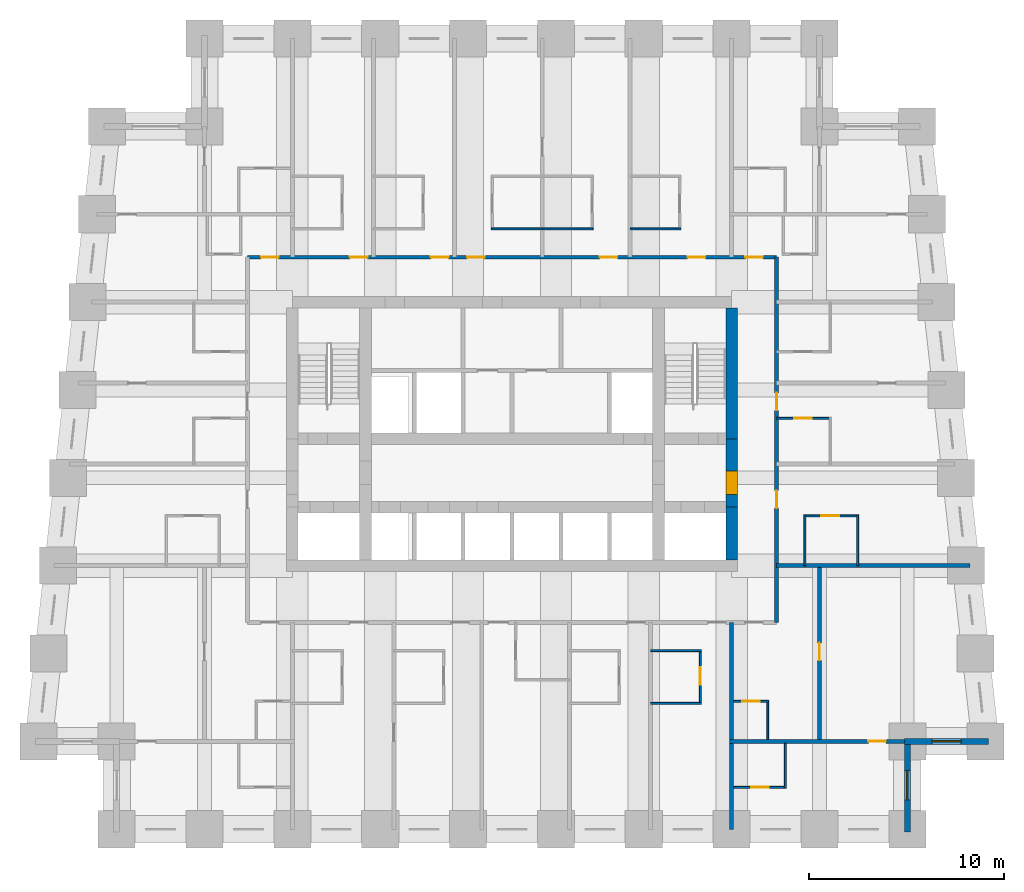
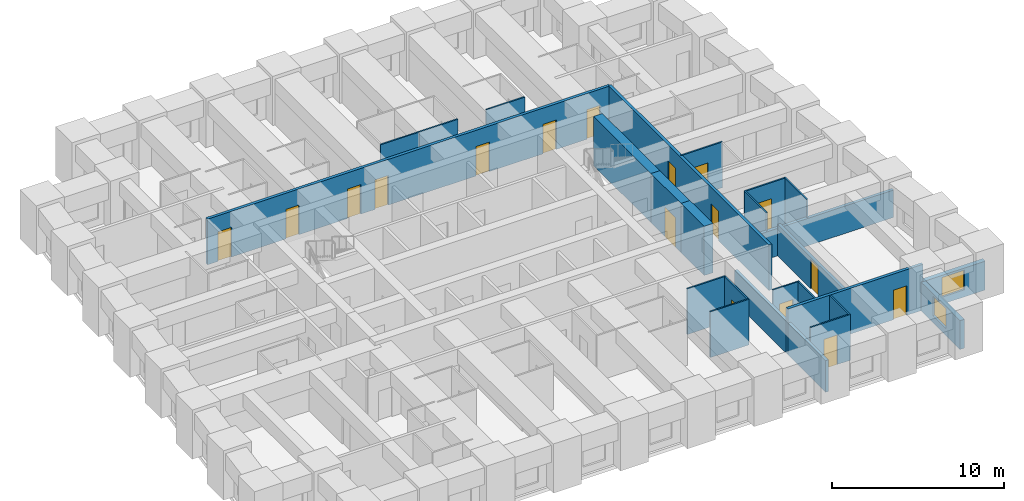
# One storey, part 5 of 8: 25 walls, 17 doors, 2 windows, 19 openings.
"""IFC4 building model written with IfcOpenShell, lengths in metres."""

from ifc_helpers import new_model, si_unit, direction, frame, frame_2d, origin, place, context, subcontext, project, spatial, rectangle, extrude, material, layer, layer_set, type_object, element, fill, save


model = new_model("IFC4")

# Units and contexts
model_context = context("Model", 3, precision=1e-05, world=origin(), true_north=direction((0.0, 1.0)))
body_context = subcontext(model_context, "Body", "Model", "MODEL_VIEW")
ifc_project = project(units=[si_unit("LENGTHUNIT", "METRE"), si_unit("AREAUNIT", "SQUARE_METRE"), si_unit("VOLUMEUNIT", "CUBIC_METRE"), si_unit("PLANEANGLEUNIT", "RADIAN"), si_unit("MASSUNIT", "GRAM", prefix="KILO")], contexts=[model_context])

# Site, building, storey
site_placement = place(None, origin())
site = spatial("IfcSite", under=ifc_project, at=site_placement, CompositionType="ELEMENT")
building_placement = place(site_placement, origin())
building = spatial("IfcBuilding", under=site, at=building_placement, Name="Kilele Tower Hotel", CompositionType="ELEMENT")
storey_placement = place(building_placement, frame((0.0, 0.0, 43.699951171875)))
storey = spatial("IfcBuildingStorey", under=building, at=storey_placement, Name="L09", CompositionType="ELEMENT", Elevation=43.699951171875)

# Walls
ifc_material_1 = material(Name="Moisture-resistant board")
ifc_layer_1 = layer(ifc_material_1, 0.10009765625)
ifc_layer_set_1 = layer_set([ifc_layer_1], Name="Moisture-resistant board")
wall_type_1 = type_object("IfcWallType", Name="Bathroom partition 100", PredefinedType="PLUMBINGWALL", material=ifc_layer_set_1)
for number, where, z_axis, x_axis, name in (
    (1, (31.85009765625, 9.14990234375, 0.0), (0.0, 0.0, 1.0), (1.0, 0.0, 0.0), "Bathroom partition 100 L09"),
    (2, (31.85009765625, 6.449951171875, 0.0), (0.0, 0.0, 1.0), (1.0, 0.0, 0.0), "Bathroom partition 100 L09"),
):
    element("IfcWall", number, at=place(storey_placement, frame(where, z_axis=z_axis, x_axis=x_axis)), inside=storey, type_object=wall_type_1, Name=name, PredefinedType="PLUMBINGWALL", context=body_context, shape_type="SweptSolid", body=[
        extrude(rectangle(XDim=2.599853515625, YDim=0.10009765625, at=frame_2d((1.2998046875, 0.0))), origin(), (0.0, 0.0, 1.0), 3.25),
    ])

# Wall, opening, door
wall_1_placement = place(storey_placement, frame((34.39990234375, 9.199951171875, 0.0), z_axis=(0.0, 0.0, 1.0), x_axis=(0.0, -1.0, 0.0)))
wall_1 = element("IfcWall", 3, at=wall_1_placement, inside=storey, type_object=wall_type_1, Name="Bathroom partition 100 L09", PredefinedType="PLUMBINGWALL", context=body_context, shape_type="SweptSolid", body=[
    extrude(rectangle(XDim=2.800048828125, YDim=0.10009765625, at=frame_2d((1.39990234375, 0.0))), origin(), (0.0, 0.0, 1.0), 3.25),
])
opening_1_placement = place(wall_1_placement, frame((0.89990234375, 0.0, 0.0)))
opening_1 = element("IfcOpeningElement", 4, at=opening_1_placement, cuts=wall_1, Name="Opening D2A", PredefinedType="OPENING", context=body_context, shape_type="SweptSolid", body=[
    extrude(rectangle(XDim=0.89990234375, YDim=2.10009765625, at=frame_2d((0.449951171875, 1.050048828125))), frame((0.0, 0.06005859375, 0.0), z_axis=(0.0, -1.0, 0.0), x_axis=(1.0, 0.0, 0.0)), (0.0, 0.0, 1.0), 0.1201171875),
])
ifc_material_2 = material(Name="Timber door leaf in hardwood frame", Category="wood")
door_type_1 = type_object("IfcDoorType", Name="Bathroom door 900", OperationType="SINGLE_SWING_LEFT", PredefinedType="DOOR", material=ifc_material_2)
door_1_placement = place(opening_1_placement, origin())
door_1 = element("IfcDoor", 5, at=door_1_placement, inside=storey, type_object=door_type_1, Name="Bathroom door 0905B", OperationType="SINGLE_SWING_LEFT", OverallHeight=2.10009765625, OverallWidth=0.89990234375, PredefinedType="DOOR", context=body_context, shape_type="SweptSolid", body=[
    extrude(rectangle(XDim=0.89990234375, YDim=2.10009765625, at=frame_2d((0.449951171875, 1.050048828125))), frame((0.0, 0.02490234375, 0.0), z_axis=(0.0, -1.0, 0.0), x_axis=(1.0, 0.0, 0.0)), (0.0, 0.0, 1.0), 0.050048828125),
])
fill(opening_1, door_1)

# Walls
for number, where, z_axis, x_axis, name in (
    (6, (39.75, 13.5, 0.0), (0.0, 0.0, 1.0), (0.0, 1.0, 0.0), "Bathroom partition 100 L09"),
    (7, (42.449951171875, 13.5, 0.0), (0.0, 0.0, 1.0), (0.0, 1.0, 0.0), "Bathroom partition 100 L09"),
):
    element("IfcWall", number, at=place(storey_placement, frame(where, z_axis=z_axis, x_axis=x_axis)), inside=storey, type_object=wall_type_1, Name=name, PredefinedType="PLUMBINGWALL", context=body_context, shape_type="SweptSolid", body=[
        extrude(rectangle(XDim=2.60009765625, YDim=0.10009765625, at=frame_2d((1.300048828125, 0.0))), origin(), (0.0, 0.0, 1.0), 3.25),
    ])

# Wall, opening, door
wall_2_placement = place(storey_placement, frame((39.699951171875, 16.050048828125, 0.0), z_axis=(0.0, 0.0, 1.0), x_axis=(1.0, 0.0, 0.0)))
wall_2 = element("IfcWall", 8, at=wall_2_placement, inside=storey, type_object=wall_type_1, Name="Bathroom partition 100 L09", PredefinedType="PLUMBINGWALL", context=body_context, shape_type="SweptSolid", body=[
    extrude(rectangle(XDim=2.800048828125, YDim=0.10009765625, at=frame_2d((1.39990234375, 0.0))), origin(), (0.0, 0.0, 1.0), 3.25),
])
opening_2_placement = place(wall_2_placement, frame((0.89990234375, 0.0, 0.0)))
opening_2 = element("IfcOpeningElement", 9, at=opening_2_placement, cuts=wall_2, Name="Opening D2A", PredefinedType="OPENING", context=body_context, shape_type="SweptSolid", body=[
    extrude(rectangle(XDim=0.89990234375, YDim=2.10009765625, at=frame_2d((0.449951171875, 1.050048828125))), frame((0.0, 0.06005859375, 0.0), z_axis=(0.0, -1.0, 0.0), x_axis=(1.0, 0.0, 0.0)), (0.0, 0.0, 1.0), 0.1201171875),
])
door_2_placement = place(opening_2_placement, origin())
door_2 = element("IfcDoor", 10, at=door_2_placement, inside=storey, type_object=door_type_1, Name="Bathroom door 0906B", OperationType="SINGLE_SWING_LEFT", OverallHeight=2.10009765625, OverallWidth=0.89990234375, PredefinedType="DOOR", context=body_context, shape_type="SweptSolid", body=[
    extrude(rectangle(XDim=0.89990234375, YDim=2.10009765625, at=frame_2d((0.449951171875, 1.050048828125))), frame((0.0, 0.02490234375, 0.0), z_axis=(0.0, -1.0, 0.0), x_axis=(1.0, 0.0, 0.0)), (0.0, 0.0, 1.0), 0.050048828125),
])
fill(opening_2, door_2)

wall_3_placement = place(storey_placement, frame((38.300048828125, 21.050048828125, 0.0), z_axis=(0.0, 0.0, 1.0), x_axis=(1.0, 0.0, 0.0)))
wall_3 = element("IfcWall", 11, at=wall_3_placement, inside=storey, type_object=wall_type_1, Name="Bathroom partition 100 L09", PredefinedType="PLUMBINGWALL", context=body_context, shape_type="SweptSolid", body=[
    extrude(rectangle(XDim=2.800048828125, YDim=0.10009765625, at=frame_2d((1.39990234375, 0.0))), origin(), (0.0, 0.0, 1.0), 3.25),
])
opening_3_placement = place(wall_3_placement, frame((0.89990234375, 0.0, 0.0)))
opening_3 = element("IfcOpeningElement", 12, at=opening_3_placement, cuts=wall_3, Name="Opening D2A", PredefinedType="OPENING", context=body_context, shape_type="SweptSolid", body=[
    extrude(rectangle(XDim=0.89990234375, YDim=2.10009765625, at=frame_2d((0.449951171875, 1.050048828125))), frame((0.0, 0.06005859375, 0.0), z_axis=(0.0, -1.0, 0.0), x_axis=(1.0, 0.0, 0.0)), (0.0, 0.0, 1.0), 0.1201171875),
])
door_3_placement = place(opening_3_placement, origin())
door_3 = element("IfcDoor", 13, at=door_3_placement, inside=storey, type_object=door_type_1, Name="Bathroom door 0907B", OperationType="SINGLE_SWING_LEFT", OverallHeight=2.10009765625, OverallWidth=0.89990234375, PredefinedType="DOOR", context=body_context, shape_type="SweptSolid", body=[
    extrude(rectangle(XDim=0.89990234375, YDim=2.10009765625, at=frame_2d((0.449951171875, 1.050048828125))), frame((0.0, 0.02490234375, 0.0), z_axis=(0.0, -1.0, 0.0), x_axis=(1.0, 0.0, 0.0)), (0.0, 0.0, 1.0), 0.050048828125),
])
fill(opening_3, door_3)

# Walls
wall_4_placement = place(storey_placement, frame((23.699951171875, 30.75, 0.0), z_axis=(0.0, 0.0, 1.0), x_axis=(1.0, 0.0, 0.0)))
element("IfcWall", 14, at=wall_4_placement, inside=storey, type_object=wall_type_1, Name="Bathroom partition 100 L09", PredefinedType="PLUMBINGWALL", context=body_context, shape_type="SweptSolid", body=[
    extrude(rectangle(XDim=2.60009765625, YDim=0.10009765625, at=frame_2d((1.300048828125, 0.0))), origin(), (0.0, 0.0, 1.0), 3.25),
])
for number, where, z_axis, x_axis, name in (
    (15, (26.300048828125, 30.75, 0.0), (0.0, 0.0, 1.0), (1.0, 0.0, 0.0), "Bathroom partition 100 L09"),
    (16, (30.800048828125, 30.75, 0.0), (0.0, 0.0, 1.0), (1.0, 0.0, 0.0), "Bathroom partition 100 L09"),
):
    element("IfcWall", number, at=place(storey_placement, frame(where, z_axis=z_axis, x_axis=x_axis)), inside=storey, type_object=wall_type_1, Name=name, PredefinedType="PLUMBINGWALL", context=body_context, shape_type="SweptSolid", body=[
        extrude(rectangle(XDim=2.599853515625, YDim=0.10009765625, at=frame_2d((1.2998046875, 0.0))), origin(), (0.0, 0.0, 1.0), 3.25),
    ])
wall_5_placement = place(storey_placement, frame((37.85009765625, 4.60009765625, 0.0), z_axis=(0.0, 0.0, 1.0), x_axis=(0.0, 1.0, 0.0)))
element("IfcWall", 17, at=wall_5_placement, inside=storey, type_object=wall_type_1, Name="Bathroom partition 100 L09", PredefinedType="PLUMBINGWALL", context=body_context, shape_type="SweptSolid", body=[
    extrude(rectangle(XDim=2.0, YDim=0.10009765625, at=frame_2d((1.0, 0.0))), origin(), (0.0, 0.0, 1.0), 3.25),
])

# Wall, opening, door
wall_6_placement = place(storey_placement, frame((36.10009765625, 6.550048828125, 0.0), z_axis=(0.0, 0.0, 1.0), x_axis=(1.0, 0.0, 0.0)))
wall_6 = element("IfcWall", 18, at=wall_6_placement, inside=storey, type_object=wall_type_1, Name="Bathroom partition 100 L09", PredefinedType="PLUMBINGWALL", context=body_context, shape_type="SweptSolid", body=[
    extrude(rectangle(XDim=1.7998046875, YDim=0.10009765625, at=frame_2d((0.89990234375, 0.0))), origin(), (0.0, 0.0, 1.0), 3.25),
])
opening_4_placement = place(wall_6_placement, frame((0.449951171875, 0.0, 0.0)))
opening_4 = element("IfcOpeningElement", 19, at=opening_4_placement, cuts=wall_6, Name="Opening D2A", PredefinedType="OPENING", context=body_context, shape_type="SweptSolid", body=[
    extrude(rectangle(XDim=0.89990234375, YDim=2.10009765625, at=frame_2d((0.449951171875, 1.050048828125))), frame((0.0, 0.06005859375, 0.0), z_axis=(0.0, -1.0, 0.0), x_axis=(1.0, 0.0, 0.0)), (0.0, 0.0, 1.0), 0.1201171875),
])
door_4_placement = place(opening_4_placement, origin())
door_4 = element("IfcDoor", 20, at=door_4_placement, inside=storey, type_object=door_type_1, Name="Bathroom door 0920P", OperationType="SINGLE_SWING_LEFT", OverallHeight=2.10009765625, OverallWidth=0.89990234375, PredefinedType="DOOR", context=body_context, shape_type="SweptSolid", body=[
    extrude(rectangle(XDim=0.89990234375, YDim=2.10009765625, at=frame_2d((0.449951171875, 1.050048828125))), frame((0.0, 0.02490234375, 0.0), z_axis=(0.0, -1.0, 0.0), x_axis=(1.0, 0.0, 0.0)), (0.0, 0.0, 1.0), 0.050048828125),
])
fill(opening_4, door_4)

# Wall
wall_7_placement = place(storey_placement, frame((38.75, 4.39990234375, 0.0), z_axis=(0.0, 0.0, 1.0), x_axis=(0.0, -1.0, 0.0)))
element("IfcWall", 21, at=wall_7_placement, inside=storey, type_object=wall_type_1, Name="Bathroom partition 100 L09", PredefinedType="PLUMBINGWALL", context=body_context, shape_type="SweptSolid", body=[
    extrude(rectangle(XDim=2.2998046875, YDim=0.10009765625, at=frame_2d((1.14990234375, 0.0))), origin(), (0.0, 0.0, 1.0), 3.25),
])

# Wall, opening, door
wall_8_placement = place(storey_placement, frame((36.10009765625, 2.14990234375, 0.0), z_axis=(0.0, 0.0, 1.0), x_axis=(1.0, 0.0, 0.0)))
wall_8 = element("IfcWall", 22, at=wall_8_placement, inside=storey, type_object=wall_type_1, Name="Bathroom partition 100 L09", PredefinedType="PLUMBINGWALL", context=body_context, shape_type="SweptSolid", body=[
    extrude(rectangle(XDim=2.699951171875, YDim=0.10009765625, at=frame_2d((1.35009765625, 0.0))), origin(), (0.0, 0.0, 1.0), 3.25),
])
opening_5_placement = place(wall_8_placement, frame((1.7998046875, 0.0, 0.0), z_axis=(0.0, 0.0, 1.0), x_axis=(-1.0, 0.0, 0.0)))
opening_5 = element("IfcOpeningElement", 23, at=opening_5_placement, cuts=wall_8, Name="Opening D2A", PredefinedType="OPENING", context=body_context, shape_type="SweptSolid", body=[
    extrude(rectangle(XDim=0.89990234375, YDim=2.10009765625, at=frame_2d((0.449951171875, 1.050048828125))), frame((0.0, 0.06005859375, 0.0), z_axis=(0.0, -1.0, 0.0), x_axis=(1.0, 0.0, 0.0)), (0.0, 0.0, 1.0), 0.1201171875),
])
door_5_placement = place(opening_5_placement, origin())
door_5 = element("IfcDoor", 24, at=door_5_placement, inside=storey, type_object=door_type_1, Name="Bathroom door 0922B", OperationType="SINGLE_SWING_RIGHT", OverallHeight=2.10009765625, OverallWidth=0.89990234375, PredefinedType="DOOR", context=body_context, shape_type="SweptSolid", body=[
    extrude(rectangle(XDim=0.89990234375, YDim=2.10009765625, at=frame_2d((0.449951171875, 1.050048828125))), frame((0.0, 0.02490234375, 0.0), z_axis=(0.0, -1.0, 0.0), x_axis=(1.0, 0.0, 0.0)), (0.0, 0.0, 1.0), 0.050048828125),
])
fill(opening_5, door_5)

# Wall
ifc_material_3 = material(Name="Concrete C60/75", Category="concrete")
ifc_layer_2 = layer(ifc_material_3, 0.60009765625)
ifc_layer_set_2 = layer_set([ifc_layer_2], Name="Concrete C60/75")
wall_type_2 = type_object("IfcWallType", Name="Core wall 600 C60/75", PredefinedType="SHEAR", material=ifc_layer_set_2)
wall_9_placement = place(storey_placement, frame((36.0, 13.800048828125, 0.0), z_axis=(0.0, 0.0, 1.0), x_axis=(0.0, 1.0, 0.0)))
element("IfcWall", 25, at=wall_9_placement, inside=storey, type_object=wall_type_2, Name="Core wall E1 L09", PredefinedType="SHEAR", context=body_context, shape_type="SweptSolid", body=[
    extrude(rectangle(XDim=2.699951171875, YDim=0.60009765625, at=frame_2d((1.35009765625, 0.0))), origin(), (0.0, 0.0, 1.0), 3.5),
])

# Wall, opening, door
wall_10_placement = place(storey_placement, frame((36.0, 16.5, 0.0), z_axis=(0.0, 0.0, 1.0), x_axis=(0.0, 1.0, 0.0)))
wall_10 = element("IfcWall", 26, at=wall_10_placement, inside=storey, type_object=wall_type_2, Name="Core wall E2 L09", PredefinedType="SHEAR", context=body_context, shape_type="SweptSolid", body=[
    extrude(rectangle(XDim=3.5, YDim=0.60009765625, at=frame_2d((1.75, 0.0))), origin(), (0.0, 0.0, 1.0), 3.5),
])
opening_6_placement = place(wall_10_placement, frame((0.64990234375, 0.0, 0.0)))
opening_6 = element("IfcOpeningElement", 27, at=opening_6_placement, cuts=wall_10, Name="Opening D4", PredefinedType="OPENING", context=body_context, shape_type="SweptSolid", body=[
    extrude(rectangle(XDim=1.199951171875, YDim=2.10009765625, at=frame_2d((0.60009765625, 1.050048828125))), frame((0.0, 0.31005859375, 0.0), z_axis=(0.0, -1.0, 0.0), x_axis=(1.0, 0.0, 0.0)), (0.0, 0.0, 1.0), 0.6201171875),
])
ifc_material_4 = material(Name="Timber door leaf in hardwood frame", Category="wood")
door_type_2 = type_object("IfcDoorType", Name="Firefighting lobby door 1200", OperationType="SINGLE_SWING_LEFT", PredefinedType="DOOR", material=ifc_material_4)
door_6_placement = place(opening_6_placement, origin())
door_6 = element("IfcDoor", 28, at=door_6_placement, inside=storey, type_object=door_type_2, Name="Lobby door L09", OperationType="SINGLE_SWING_LEFT", OverallHeight=2.10009765625, OverallWidth=1.199951171875, PredefinedType="DOOR", context=body_context, shape_type="SweptSolid", body=[
    extrude(rectangle(XDim=1.199951171875, YDim=2.10009765625, at=frame_2d((0.60009765625, 1.050048828125))), frame((0.0, 0.2998046875, 0.0), z_axis=(0.0, -1.0, 0.0), x_axis=(1.0, 0.0, 0.0)), (0.0, 0.0, 1.0), 0.599609375),
])
fill(opening_6, door_6)

# Wall
wall_11_placement = place(storey_placement, frame((36.0, 20.0, 0.0), z_axis=(0.0, 0.0, 1.0), x_axis=(0.0, 1.0, 0.0)))
element("IfcWall", 29, at=wall_11_placement, inside=storey, type_object=wall_type_2, Name="Core wall E3 L09", PredefinedType="SHEAR", context=body_context, shape_type="SweptSolid", body=[
    extrude(rectangle(XDim=6.699951171875, YDim=0.60009765625, at=frame_2d((3.35009765625, 0.0))), origin(), (0.0, 0.0, 1.0), 3.5),
])

# Wall, openings, doors
ifc_material_5 = material(Name="Blockwork, plastered both sides", Category="masonry")
ifc_layer_3 = layer(ifc_material_5, 0.199951171875)
ifc_layer_set_3 = layer_set([ifc_layer_3], Name="Blockwork, plastered both sides")
wall_type_3 = type_object("IfcWallType", Name="Corridor wall 200", PredefinedType="PARTITIONING", material=ifc_layer_set_3)
wall_12_placement = place(storey_placement, frame((11.199951171875, 29.300048828125, 0.0), z_axis=(0.0, 0.0, 1.0), x_axis=(1.0, 0.0, 0.0)))
wall_12 = element("IfcWall", 30, at=wall_12_placement, inside=storey, type_object=wall_type_3, Name="Corridor wall 200 L09", PredefinedType="PARTITIONING", context=body_context, shape_type="SweptSolid", body=[
    extrude(rectangle(XDim=27.10009765625, YDim=0.199951171875, at=frame_2d((13.550048828125, 0.0))), origin(), (0.0, 0.0, 1.0), 3.25),
])
opening_7_placement = place(wall_12_placement, frame((5.25, 0.0, 0.0)))
opening_7 = element("IfcOpeningElement", 31, at=opening_7_placement, cuts=wall_12, Name="Opening D1", PredefinedType="OPENING", context=body_context, shape_type="SweptSolid", body=[
    extrude(rectangle(XDim=0.89990234375, YDim=2.10009765625, at=frame_2d((0.449951171875, 1.050048828125))), frame((0.0, 0.10986328125, 0.0), z_axis=(0.0, -1.0, 0.0), x_axis=(1.0, 0.0, 0.0)), (0.0, 0.0, 1.0), 0.219970703125),
])
opening_8_placement = place(wall_12_placement, frame((9.39990234375, 0.0, 0.0)))
opening_8 = element("IfcOpeningElement", 32, at=opening_8_placement, cuts=wall_12, Name="Opening D1", PredefinedType="OPENING", context=body_context, shape_type="SweptSolid", body=[
    extrude(rectangle(XDim=0.89990234375, YDim=2.10009765625, at=frame_2d((0.449951171875, 1.050048828125))), frame((0.0, 0.10986328125, 0.0), z_axis=(0.0, -1.0, 0.0), x_axis=(1.0, 0.0, 0.0)), (0.0, 0.0, 1.0), 0.219970703125),
])
opening_9_placement = place(wall_12_placement, frame((11.25, 0.0, 0.0)))
opening_9 = element("IfcOpeningElement", 33, at=opening_9_placement, cuts=wall_12, Name="Opening D1", PredefinedType="OPENING", context=body_context, shape_type="SweptSolid", body=[
    extrude(rectangle(XDim=0.89990234375, YDim=2.10009765625, at=frame_2d((0.449951171875, 1.050048828125))), frame((0.0, 0.10986328125, 0.0), z_axis=(0.0, -1.0, 0.0), x_axis=(1.0, 0.0, 0.0)), (0.0, 0.0, 1.0), 0.219970703125),
])
opening_10_placement = place(wall_12_placement, frame((18.050048828125, 0.0, 0.0)))
opening_10 = element("IfcOpeningElement", 34, at=opening_10_placement, cuts=wall_12, Name="Opening D1", PredefinedType="OPENING", context=body_context, shape_type="SweptSolid", body=[
    extrude(rectangle(XDim=0.89990234375, YDim=2.10009765625, at=frame_2d((0.449951171875, 1.050048828125))), frame((0.0, 0.10986328125, 0.0), z_axis=(0.0, -1.0, 0.0), x_axis=(1.0, 0.0, 0.0)), (0.0, 0.0, 1.0), 0.219970703125),
])
opening_11_placement = place(wall_12_placement, frame((22.550048828125, 0.0, 0.0)))
opening_11 = element("IfcOpeningElement", 35, at=opening_11_placement, cuts=wall_12, Name="Opening D1", PredefinedType="OPENING", context=body_context, shape_type="SweptSolid", body=[
    extrude(rectangle(XDim=0.89990234375, YDim=2.10009765625, at=frame_2d((0.449951171875, 1.050048828125))), frame((0.0, 0.10986328125, 0.0), z_axis=(0.0, -1.0, 0.0), x_axis=(1.0, 0.0, 0.0)), (0.0, 0.0, 1.0), 0.219970703125),
])
opening_12_placement = place(wall_12_placement, frame((25.5, 0.0, 0.0)))
opening_12 = element("IfcOpeningElement", 36, at=opening_12_placement, cuts=wall_12, Name="Opening D1", PredefinedType="OPENING", context=body_context, shape_type="SweptSolid", body=[
    extrude(rectangle(XDim=0.89990234375, YDim=2.10009765625, at=frame_2d((0.449951171875, 1.050048828125))), frame((0.0, 0.10986328125, 0.0), z_axis=(0.0, -1.0, 0.0), x_axis=(1.0, 0.0, 0.0)), (0.0, 0.0, 1.0), 0.219970703125),
])
opening_13_placement = place(wall_12_placement, frame((0.699951171875, 0.0, 0.0)))
opening_13 = element("IfcOpeningElement", 37, at=opening_13_placement, cuts=wall_12, Name="Opening D1", PredefinedType="OPENING", context=body_context, shape_type="SweptSolid", body=[
    extrude(rectangle(XDim=0.89990234375, YDim=2.10009765625, at=frame_2d((0.449951171875, 1.050048828125))), frame((0.0, 0.10986328125, 0.0), z_axis=(0.0, -1.0, 0.0), x_axis=(1.0, 0.0, 0.0)), (0.0, 0.0, 1.0), 0.219970703125),
])
ifc_material_6 = material(Name="Timber door leaf in hardwood frame", Category="wood")
door_type_3 = type_object("IfcDoorType", Name="Guest room entrance door 900", OperationType="SINGLE_SWING_LEFT", PredefinedType="DOOR", material=ifc_material_6)
door_7_placement = place(opening_7_placement, origin())
door_7 = element("IfcDoor", 38, at=door_7_placement, inside=storey, type_object=door_type_3, Name="Room entrance 0909", OperationType="SINGLE_SWING_RIGHT", OverallHeight=2.10009765625, OverallWidth=0.89990234375, PredefinedType="DOOR", context=body_context, shape_type="SweptSolid", body=[
    extrude(rectangle(XDim=0.89990234375, YDim=2.10009765625, at=frame_2d((0.449951171875, 1.050048828125))), frame((0.0, 0.02490234375, 0.0), z_axis=(0.0, -1.0, 0.0), x_axis=(1.0, 0.0, 0.0)), (0.0, 0.0, 1.0), 0.050048828125),
])
fill(opening_7, door_7)
door_8_placement = place(opening_8_placement, origin())
door_8 = element("IfcDoor", 39, at=door_8_placement, inside=storey, type_object=door_type_3, Name="Room entrance 0910", OperationType="SINGLE_SWING_RIGHT", OverallHeight=2.10009765625, OverallWidth=0.89990234375, PredefinedType="DOOR", context=body_context, shape_type="SweptSolid", body=[
    extrude(rectangle(XDim=0.89990234375, YDim=2.10009765625, at=frame_2d((0.449951171875, 1.050048828125))), frame((0.0, 0.02490234375, 0.0), z_axis=(0.0, -1.0, 0.0), x_axis=(1.0, 0.0, 0.0)), (0.0, 0.0, 1.0), 0.050048828125),
])
fill(opening_8, door_8)
door_9_placement = place(opening_9_placement, origin())
door_9 = element("IfcDoor", 40, at=door_9_placement, inside=storey, type_object=door_type_3, Name="Room entrance 0911", OperationType="SINGLE_SWING_LEFT", OverallHeight=2.10009765625, OverallWidth=0.89990234375, PredefinedType="DOOR", context=body_context, shape_type="SweptSolid", body=[
    extrude(rectangle(XDim=0.89990234375, YDim=2.10009765625, at=frame_2d((0.449951171875, 1.050048828125))), frame((0.0, 0.02490234375, 0.0), z_axis=(0.0, -1.0, 0.0), x_axis=(1.0, 0.0, 0.0)), (0.0, 0.0, 1.0), 0.050048828125),
])
fill(opening_9, door_9)
door_10_placement = place(opening_10_placement, origin())
door_10 = element("IfcDoor", 41, at=door_10_placement, inside=storey, type_object=door_type_3, Name="Room entrance 0912", OperationType="SINGLE_SWING_RIGHT", OverallHeight=2.10009765625, OverallWidth=0.89990234375, PredefinedType="DOOR", context=body_context, shape_type="SweptSolid", body=[
    extrude(rectangle(XDim=0.89990234375, YDim=2.10009765625, at=frame_2d((0.449951171875, 1.050048828125))), frame((0.0, 0.02490234375, 0.0), z_axis=(0.0, -1.0, 0.0), x_axis=(1.0, 0.0, 0.0)), (0.0, 0.0, 1.0), 0.050048828125),
])
fill(opening_10, door_10)
door_11_placement = place(opening_11_placement, origin())
door_11 = element("IfcDoor", 42, at=door_11_placement, inside=storey, type_object=door_type_3, Name="Room entrance 0913", OperationType="SINGLE_SWING_RIGHT", OverallHeight=2.10009765625, OverallWidth=0.89990234375, PredefinedType="DOOR", context=body_context, shape_type="SweptSolid", body=[
    extrude(rectangle(XDim=0.89990234375, YDim=2.10009765625, at=frame_2d((0.449951171875, 1.050048828125))), frame((0.0, 0.02490234375, 0.0), z_axis=(0.0, -1.0, 0.0), x_axis=(1.0, 0.0, 0.0)), (0.0, 0.0, 1.0), 0.050048828125),
])
fill(opening_11, door_11)
door_12_placement = place(opening_12_placement, origin())
door_12 = element("IfcDoor", 43, at=door_12_placement, inside=storey, type_object=door_type_3, Name="Room entrance 0923", OperationType="SINGLE_SWING_LEFT", OverallHeight=2.10009765625, OverallWidth=0.89990234375, PredefinedType="DOOR", context=body_context, shape_type="SweptSolid", body=[
    extrude(rectangle(XDim=0.89990234375, YDim=2.10009765625, at=frame_2d((0.449951171875, 1.050048828125))), frame((0.0, 0.02490234375, 0.0), z_axis=(0.0, -1.0, 0.0), x_axis=(1.0, 0.0, 0.0)), (0.0, 0.0, 1.0), 0.050048828125),
])
fill(opening_12, door_12)
door_13_placement = place(opening_13_placement, origin())
door_13 = element("IfcDoor", 44, at=door_13_placement, inside=storey, type_object=door_type_3, Name="Room entrance 0926", OperationType="SINGLE_SWING_RIGHT", OverallHeight=2.10009765625, OverallWidth=0.89990234375, PredefinedType="DOOR", context=body_context, shape_type="SweptSolid", body=[
    extrude(rectangle(XDim=0.89990234375, YDim=2.10009765625, at=frame_2d((0.449951171875, 1.050048828125))), frame((0.0, 0.02490234375, 0.0), z_axis=(0.0, -1.0, 0.0), x_axis=(1.0, 0.0, 0.0)), (0.0, 0.0, 1.0), 0.050048828125),
])
fill(opening_13, door_13)

wall_13_placement = place(storey_placement, frame((38.300048828125, 10.60009765625, 0.0), z_axis=(0.0, 0.0, 1.0), x_axis=(0.0, 1.0, 0.0)))
wall_13 = element("IfcWall", 45, at=wall_13_placement, inside=storey, type_object=wall_type_3, Name="Corridor wall 200 L09", PredefinedType="PARTITIONING", context=body_context, shape_type="SweptSolid", body=[
    extrude(rectangle(XDim=18.699951171875, YDim=0.199951171875, at=frame_2d((9.35009765625, 0.0))), origin(), (0.0, 0.0, 1.0), 3.25),
])
opening_14_placement = place(wall_13_placement, frame((6.75, 0.0, 0.0), z_axis=(0.0, 0.0, 1.0), x_axis=(-1.0, 0.0, 0.0)))
opening_14 = element("IfcOpeningElement", 46, at=opening_14_placement, cuts=wall_13, Name="Opening D1", PredefinedType="OPENING", context=body_context, shape_type="SweptSolid", body=[
    extrude(rectangle(XDim=0.89990234375, YDim=2.10009765625, at=frame_2d((0.449951171875, 1.050048828125))), frame((0.0, 0.10986328125, 0.0), z_axis=(0.0, -1.0, 0.0), x_axis=(1.0, 0.0, 0.0)), (0.0, 0.0, 1.0), 0.219970703125),
])
opening_15_placement = place(wall_13_placement, frame((11.75, 0.0, 0.0), z_axis=(0.0, 0.0, 1.0), x_axis=(-1.0, 0.0, 0.0)))
opening_15 = element("IfcOpeningElement", 47, at=opening_15_placement, cuts=wall_13, Name="Opening D1", PredefinedType="OPENING", context=body_context, shape_type="SweptSolid", body=[
    extrude(rectangle(XDim=0.89990234375, YDim=2.10009765625, at=frame_2d((0.449951171875, 1.050048828125))), frame((0.0, 0.10986328125, 0.0), z_axis=(0.0, -1.0, 0.0), x_axis=(1.0, 0.0, 0.0)), (0.0, 0.0, 1.0), 0.219970703125),
])
door_14_placement = place(opening_14_placement, origin())
door_14 = element("IfcDoor", 48, at=door_14_placement, inside=storey, type_object=door_type_3, Name="Room entrance 0906", OperationType="SINGLE_SWING_LEFT", OverallHeight=2.10009765625, OverallWidth=0.89990234375, PredefinedType="DOOR", context=body_context, shape_type="SweptSolid", body=[
    extrude(rectangle(XDim=0.89990234375, YDim=2.10009765625, at=frame_2d((0.449951171875, 1.050048828125))), frame((0.0, 0.02490234375, 0.0), z_axis=(0.0, -1.0, 0.0), x_axis=(1.0, 0.0, 0.0)), (0.0, 0.0, 1.0), 0.050048828125),
])
fill(opening_14, door_14)
door_15_placement = place(opening_15_placement, origin())
door_15 = element("IfcDoor", 49, at=door_15_placement, inside=storey, type_object=door_type_3, Name="Room entrance 0907", OperationType="SINGLE_SWING_LEFT", OverallHeight=2.10009765625, OverallWidth=0.89990234375, PredefinedType="DOOR", context=body_context, shape_type="SweptSolid", body=[
    extrude(rectangle(XDim=0.89990234375, YDim=2.10009765625, at=frame_2d((0.449951171875, 1.050048828125))), frame((0.0, 0.02490234375, 0.0), z_axis=(0.0, -1.0, 0.0), x_axis=(1.0, 0.0, 0.0)), (0.0, 0.0, 1.0), 0.050048828125),
])
fill(opening_15, door_15)

# Wall, opening, door
ifc_material_7 = material(Name="Blockwork, plastered both sides", Category="masonry")
ifc_layer_4 = layer(ifc_material_7, 0.199951171875)
ifc_layer_set_4 = layer_set([ifc_layer_4], Name="Blockwork, plastered both sides")
wall_type_4 = type_object("IfcWallType", Name="Partition wall 200", PredefinedType="PARTITIONING", material=ifc_layer_set_4)
wall_14_placement = place(storey_placement, frame((40.5, 4.60009765625, 0.0), z_axis=(0.0, 0.0, 1.0), x_axis=(0.0, 1.0, 0.0)))
wall_14 = element("IfcWall", 50, at=wall_14_placement, inside=storey, type_object=wall_type_4, Name="Partition wall 200 L09", PredefinedType="PARTITIONING", context=body_context, shape_type="SweptSolid", body=[
    extrude(rectangle(XDim=8.7998046875, YDim=0.199951171875, at=frame_2d((4.39990234375, 0.0))), origin(), (0.0, 0.0, 1.0), 2.25),
])
opening_16_placement = place(wall_14_placement, frame((4.050048828125, 0.0, 0.0)))
opening_16 = element("IfcOpeningElement", 51, at=opening_16_placement, cuts=wall_14, Name="Opening D3", PredefinedType="OPENING", context=body_context, shape_type="SweptSolid", body=[
    extrude(rectangle(XDim=0.89990234375, YDim=2.10009765625, at=frame_2d((0.449951171875, 1.050048828125))), frame((0.0, 0.10986328125, 0.0), z_axis=(0.0, -1.0, 0.0), x_axis=(1.0, 0.0, 0.0)), (0.0, 0.0, 1.0), 0.219970703125),
])
ifc_material_8 = material(Name="Timber door leaf in hardwood frame", Category="wood")
door_type_4 = type_object("IfcDoorType", Name="Suite internal door 900", OperationType="SINGLE_SWING_LEFT", PredefinedType="DOOR", material=ifc_material_8)
door_16_placement = place(opening_16_placement, origin())
door_16 = element("IfcDoor", 52, at=door_16_placement, inside=storey, type_object=door_type_4, Name="Suite door 0921", OperationType="SINGLE_SWING_RIGHT", OverallHeight=2.10009765625, OverallWidth=0.89990234375, PredefinedType="DOOR", context=body_context, shape_type="SweptSolid", body=[
    extrude(rectangle(XDim=0.89990234375, YDim=2.10009765625, at=frame_2d((0.449951171875, 1.050048828125))), frame((0.0, 0.02490234375, 0.0), z_axis=(0.0, -1.0, 0.0), x_axis=(1.0, 0.0, 0.0)), (0.0, 0.0, 1.0), 0.050048828125),
])
fill(opening_16, door_16)

# Walls
ifc_material_9 = material(Name="Blockwork, plastered both sides", Category="masonry")
ifc_layer_5 = layer(ifc_material_9, 0.199951171875)
ifc_layer_set_5 = layer_set([ifc_layer_5], Name="Blockwork, plastered both sides")
wall_type_5 = type_object("IfcWallType", Name="Party wall 200", PredefinedType="PARTITIONING", material=ifc_layer_set_5)
wall_15_placement = place(storey_placement, frame((38.300048828125, 13.5, 0.0), z_axis=(0.0, 0.0, 1.0), x_axis=(1.0, 0.0, 0.0)))
element("IfcWall", 53, at=wall_15_placement, inside=storey, type_object=wall_type_5, Name="Party wall 200 L09", PredefinedType="PARTITIONING", context=body_context, shape_type="SweptSolid", body=[
    extrude(rectangle(XDim=9.921142578125, YDim=0.199951171875, at=frame_2d((4.96044921875, 0.0))), origin(), (0.0, 0.0, 1.0), 1.949951171875),
])
wall_16_placement = place(storey_placement, frame((36.0, 10.60009765625, 0.0), z_axis=(0.0, 0.0, 1.0), x_axis=(0.0, -1.0, 0.0)))
element("IfcWall", 54, at=wall_16_placement, inside=storey, type_object=wall_type_5, Name="Party wall 200 L09", PredefinedType="PARTITIONING", context=body_context, shape_type="SweptSolid", body=[
    extrude(rectangle(XDim=10.60009765625, YDim=0.199951171875, at=frame_2d((5.300048828125, 0.0))), origin(), (0.0, 0.0, 1.0), 2.25),
])

# Wall, opening, door
wall_17_placement = place(storey_placement, frame((35.89990234375, 4.5, 0.0), z_axis=(0.0, 0.0, 1.0), x_axis=(1.0, 0.0, 0.0)))
wall_17 = element("IfcWall", 55, at=wall_17_placement, inside=storey, type_object=wall_type_5, Name="Party wall 200 L09", PredefinedType="PARTITIONING", context=body_context, shape_type="SweptSolid", body=[
    extrude(rectangle(XDim=9.10009765625, YDim=0.199951171875, at=frame_2d((4.550048828125, 0.0))), origin(), (0.0, 0.0, 1.0), 3.25),
])
opening_17_placement = place(wall_17_placement, frame((7.10009765625, 0.0, 0.0)))
opening_17 = element("IfcOpeningElement", 56, at=opening_17_placement, cuts=wall_17, Name="Opening D3", PredefinedType="OPENING", context=body_context, shape_type="SweptSolid", body=[
    extrude(rectangle(XDim=0.89990234375, YDim=2.10009765625, at=frame_2d((0.449951171875, 1.050048828125))), frame((0.0, 0.10986328125, 0.0), z_axis=(0.0, -1.0, 0.0), x_axis=(1.0, 0.0, 0.0)), (0.0, 0.0, 1.0), 0.219970703125),
])
door_17_placement = place(opening_17_placement, origin())
door_17 = element("IfcDoor", 57, at=door_17_placement, inside=storey, type_object=door_type_4, Name="Suite door 0922", OperationType="SINGLE_SWING_RIGHT", OverallHeight=2.10009765625, OverallWidth=0.89990234375, PredefinedType="DOOR", context=body_context, shape_type="SweptSolid", body=[
    extrude(rectangle(XDim=0.89990234375, YDim=2.10009765625, at=frame_2d((0.449951171875, 1.050048828125))), frame((0.0, 0.02490234375, 0.0), z_axis=(0.0, -1.0, 0.0), x_axis=(1.0, 0.0, 0.0)), (0.0, 0.0, 1.0), 0.050048828125),
])
fill(opening_17, door_17)

# Wall, opening, window
ifc_material_10 = material(Name="Concrete C40/50 precast", Category="concrete")
ifc_layer_6 = layer(ifc_material_10, 0.260009765625, Name="Precast backing", Category="LoadBearing")
ifc_material_11 = material(Name="Reconstituted stone finish", Category="masonry")
ifc_layer_7 = layer(ifc_material_11, 0.0400390625, Name="Face mix", Category="Finish")
ifc_layer_set_6 = layer_set([ifc_layer_6, ifc_layer_7], Name="Precast concrete C40/50, reconstituted stone finish")
wall_type_6 = type_object("IfcWallType", Name="Precast stone facade wall 300", PredefinedType="STANDARD", material=ifc_layer_set_6)
wall_18_placement = place(storey_placement, frame((45.0, -0.14990234375, 0.0), z_axis=(0.0, 0.0, 1.0), x_axis=(0.0, 1.0, 0.0)))
wall_18 = element("IfcWall", 58, at=wall_18_placement, inside=storey, type_object=wall_type_6, Name="Facade wall L09 edge 4", PredefinedType="STANDARD", context=body_context, shape_type="SweptSolid", body=[
    extrude(rectangle(XDim=4.7998046875, YDim=0.300048828125, at=frame_2d((2.39990234375, 0.0))), origin(), (0.0, 0.0, 1.0), 2.050048828125),
])
opening_18_placement = place(wall_18_placement, frame((1.64990234375, 0.0, 0.5)))
opening_18 = element("IfcOpeningElement", 59, at=opening_18_placement, cuts=wall_18, Name="Opening W1", PredefinedType="OPENING", context=body_context, shape_type="SweptSolid", body=[
    extrude(rectangle(XDim=1.5, YDim=1.39990234375, at=frame_2d((0.75, 0.699951171875))), frame((0.0, 0.159912109375, 0.0), z_axis=(0.0, -1.0, 0.0), x_axis=(1.0, 0.0, 0.0)), (0.0, 0.0, 1.0), 0.320068359375),
])
ifc_material_12 = material(Name="Aluminium frame, clear double glazing", Category="aluminium")
window_type = type_object("IfcWindowType", Name="Window W1 1500 x 1400", PartitioningType="SINGLE_PANEL", PredefinedType="WINDOW", material=ifc_material_12)
window_1_placement = place(opening_18_placement, origin())
window_1 = element("IfcWindow", 60, at=window_1_placement, inside=storey, type_object=window_type, Name="Window L09", OverallHeight=1.39990234375, OverallWidth=1.5, PartitioningType="SINGLE_PANEL", PredefinedType="WINDOW", context=body_context, shape_type="SweptSolid", body=[
    extrude(rectangle(XDim=1.5, YDim=1.39990234375, at=frame_2d((0.75, 0.699951171875))), frame((0.0, 0.030029296875, 0.0), z_axis=(0.0, -1.0, 0.0), x_axis=(1.0, 0.0, 0.0)), (0.0, 0.0, 1.0), 0.06005859375),
])
fill(opening_18, window_1)

wall_19_placement = place(storey_placement, frame((44.85009765625, 4.5, 0.0), z_axis=(0.0, 0.0, 1.0), x_axis=(1.0, 0.0, 0.0)))
wall_19 = element("IfcWall", 61, at=wall_19_placement, inside=storey, type_object=wall_type_6, Name="Facade wall L09 edge 5", PredefinedType="STANDARD", context=body_context, shape_type="SweptSolid", body=[
    extrude(rectangle(XDim=4.2998046875, YDim=0.300048828125, at=frame_2d((2.14990234375, 0.0))), origin(), (0.0, 0.0, 1.0), 2.050048828125),
])
opening_19_placement = place(wall_19_placement, frame((1.39990234375, 0.0, 0.5)))
opening_19 = element("IfcOpeningElement", 62, at=opening_19_placement, cuts=wall_19, Name="Opening W1", PredefinedType="OPENING", context=body_context, shape_type="SweptSolid", body=[
    extrude(rectangle(XDim=1.5, YDim=1.39990234375, at=frame_2d((0.75, 0.699951171875))), frame((0.0, 0.159912109375, 0.0), z_axis=(0.0, -1.0, 0.0), x_axis=(1.0, 0.0, 0.0)), (0.0, 0.0, 1.0), 0.320068359375),
])
window_2_placement = place(opening_19_placement, origin())
window_2 = element("IfcWindow", 63, at=window_2_placement, inside=storey, type_object=window_type, Name="Window L09", OverallHeight=1.39990234375, OverallWidth=1.5, PartitioningType="SINGLE_PANEL", PredefinedType="WINDOW", context=body_context, shape_type="SweptSolid", body=[
    extrude(rectangle(XDim=1.5, YDim=1.39990234375, at=frame_2d((0.75, 0.699951171875))), frame((0.0, 0.030029296875, 0.0), z_axis=(0.0, -1.0, 0.0), x_axis=(1.0, 0.0, 0.0)), (0.0, 0.0, 1.0), 0.06005859375),
])
fill(opening_19, window_2)

save(model, "model.ifc")
